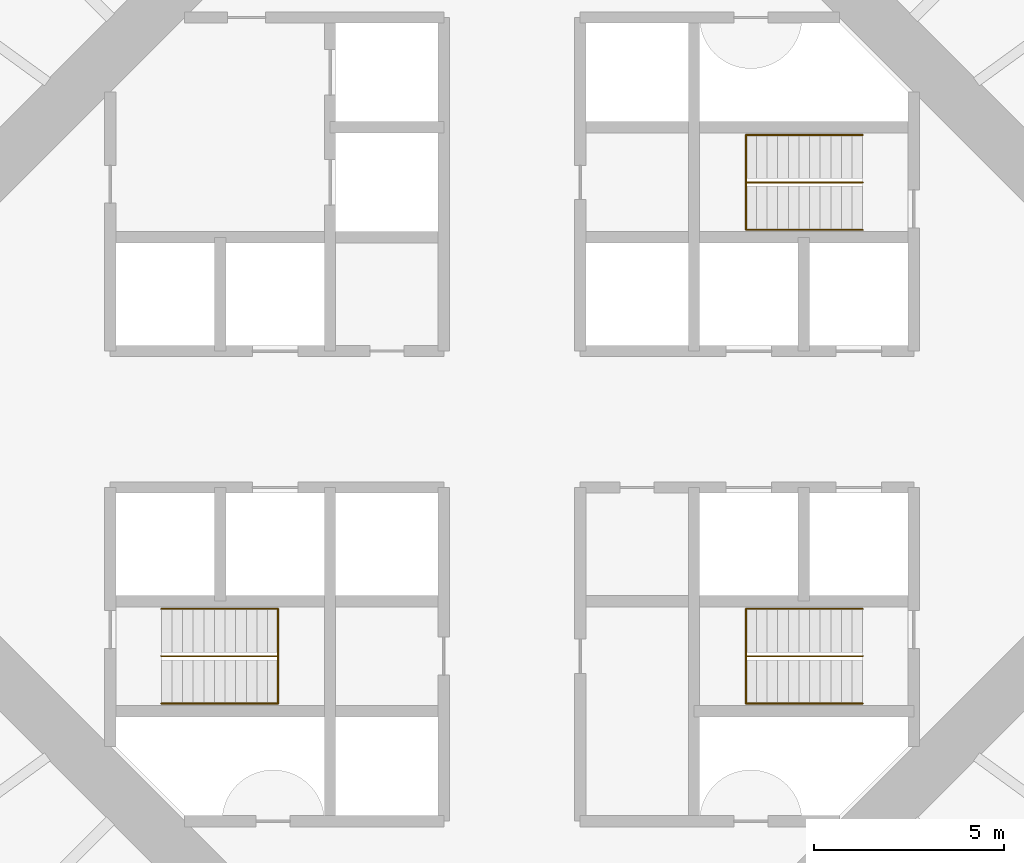
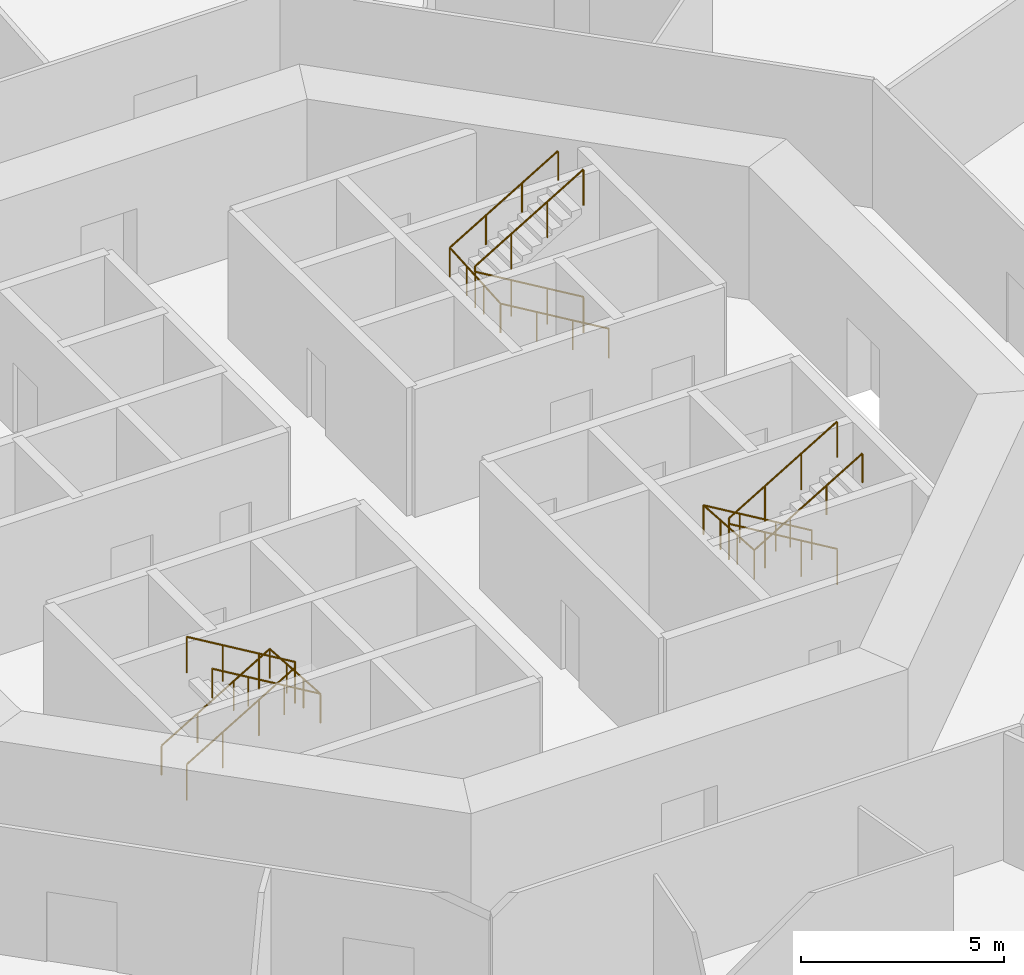
# One storey, part 13 of 13: 6 railings.
"""IFC4 building model written with IfcOpenShell, lengths in metres."""

from ifc_helpers import new_model, si_unit, direction, frame, origin, origin_2d, place, context, subcontext, project, spatial, circle, extrude, material, type_object, element, save


model = new_model("IFC4")

# Units and contexts
model_context = context("Model", 3, precision=1e-05, world=origin(), true_north=direction((0.0, 1.0)))
body_context = subcontext(model_context, "Body", "Model", "MODEL_VIEW")
ifc_project = project(units=[si_unit("LENGTHUNIT", "METRE"), si_unit("AREAUNIT", "SQUARE_METRE"), si_unit("VOLUMEUNIT", "CUBIC_METRE"), si_unit("PLANEANGLEUNIT", "RADIAN"), si_unit("MASSUNIT", "GRAM", prefix="KILO")], contexts=[model_context])

# Site, building, storey
site_placement = place(None, origin())
site = spatial("IfcSite", under=ifc_project, at=site_placement, CompositionType="ELEMENT")
building_placement = place(site_placement, origin())
building = spatial("IfcBuilding", under=site, at=building_placement, Name="Entoto Ring Tower", CompositionType="ELEMENT")
storey_placement = place(building_placement, frame((0.0, 0.0, 58.0)))
storey = spatial("IfcBuildingStorey", under=building, at=storey_placement, Name="L12", CompositionType="ELEMENT", Elevation=58.0)

# Railings
ifc_material_1 = material(Name="Steel S275", Category="steel")
railing_type_1 = type_object("IfcRailingType", Name="Stair guard 1100 mm steel", PredefinedType="GUARDRAIL", material=ifc_material_1)
railing_1_placement = place(storey_placement, frame((99.25, 86.25, 0.166748046875)))
element("IfcRailing", 1, at=railing_1_placement, inside=storey, type_object=railing_type_1, Name="Guard ST1", PredefinedType="GUARDRAIL", context=body_context, shape_type="SweptSolid", body=[
    extrude(circle(Radius=0.02392578125, at=origin_2d()), frame((0.0, 0.0, 1.076171875), z_axis=(-0.859308565015, 0.0, 0.511457515432), x_axis=(0.0, -1.0, 0.0)), (0.0, 0.0, 1.0), 3.58447265625),
    extrude(circle(Radius=0.02392578125, at=origin_2d()), frame((-3.080078125, 0.0, 2.9091796875), z_axis=(0.0, 0.0, 1.0), x_axis=(1.0, 0.0, 0.0)), (0.0, 0.0, 1.0), 0.166748046875),
    extrude(circle(Radius=0.02392578125, at=origin_2d()), frame((-3.080078125, 0.0, 3.076171875), z_axis=(0.859308565015, 0.0, 0.511457515432), x_axis=(0.0, 1.0, 0.0)), (0.0, 0.0, 1.0), 3.58447265625),
    extrude(circle(Radius=0.02099609375, at=origin_2d()), origin(), (0.0, 0.0, 1.0), 1.052001953125),
    extrude(circle(Radius=0.02099609375, at=origin_2d()), frame((-1.026611328125, 0.0, 0.611083984375)), (0.0, 0.0, 1.0), 1.052001953125),
    extrude(circle(Radius=0.02099609375, at=origin_2d()), frame((-2.053466796875, 0.0, 1.22216796875)), (0.0, 0.0, 1.0), 1.052001953125),
    extrude(circle(Radius=0.02099609375, at=origin_2d()), frame((-3.080078125, 0.0, 1.833251953125)), (0.0, 0.0, 1.0), 1.052001953125),
    extrude(circle(Radius=0.02099609375, at=origin_2d()), frame((-3.080078125, 0.0, 2.0)), (0.0, 0.0, 1.0), 1.052001953125),
    extrude(circle(Radius=0.02099609375, at=origin_2d()), frame((-2.053466796875, 0.0, 2.611083984375)), (0.0, 0.0, 1.0), 1.052001953125),
    extrude(circle(Radius=0.02099609375, at=origin_2d()), frame((-1.026611328125, 0.0, 3.22216796875)), (0.0, 0.0, 1.0), 1.052001953125),
    extrude(circle(Radius=0.02099609375, at=origin_2d()), frame((0.0, 0.0, 3.833251953125)), (0.0, 0.0, 1.0), 1.052001953125),
])
railing_2_placement = place(storey_placement, frame((80.75, 73.75, 0.166748046875)))
element("IfcRailing", 2, at=railing_2_placement, inside=storey, type_object=railing_type_1, Name="Guard ST2", PredefinedType="GUARDRAIL", context=body_context, shape_type="SweptSolid", body=[
    extrude(circle(Radius=0.02392578125, at=origin_2d()), frame((0.0, 0.0, 1.076171875), z_axis=(0.859308565015, 0.0, 0.511457515432), x_axis=(0.0, 1.0, 0.0)), (0.0, 0.0, 1.0), 3.58447265625),
    extrude(circle(Radius=0.02392578125, at=origin_2d()), frame((3.080078125, 0.0, 2.9091796875), z_axis=(0.0, 0.0, 1.0), x_axis=(1.0, 0.0, 0.0)), (0.0, 0.0, 1.0), 0.166748046875),
    extrude(circle(Radius=0.02392578125, at=origin_2d()), frame((3.080078125, 0.0, 3.076171875), z_axis=(-0.859308565015, 0.0, 0.511457515432), x_axis=(0.0, -1.0, 0.0)), (0.0, 0.0, 1.0), 3.58447265625),
    extrude(circle(Radius=0.02099609375, at=origin_2d()), origin(), (0.0, 0.0, 1.0), 1.052001953125),
    extrude(circle(Radius=0.02099609375, at=origin_2d()), frame((1.026611328125, 0.0, 0.611083984375)), (0.0, 0.0, 1.0), 1.052001953125),
    extrude(circle(Radius=0.02099609375, at=origin_2d()), frame((2.053466796875, 0.0, 1.22216796875)), (0.0, 0.0, 1.0), 1.052001953125),
    extrude(circle(Radius=0.02099609375, at=origin_2d()), frame((3.080078125, 0.0, 1.833251953125)), (0.0, 0.0, 1.0), 1.052001953125),
    extrude(circle(Radius=0.02099609375, at=origin_2d()), frame((3.080078125, 0.0, 2.0)), (0.0, 0.0, 1.0), 1.052001953125),
    extrude(circle(Radius=0.02099609375, at=origin_2d()), frame((2.053466796875, 0.0, 2.611083984375)), (0.0, 0.0, 1.0), 1.052001953125),
    extrude(circle(Radius=0.02099609375, at=origin_2d()), frame((1.026611328125, 0.0, 3.22216796875)), (0.0, 0.0, 1.0), 1.052001953125),
    extrude(circle(Radius=0.02099609375, at=origin_2d()), frame((0.0, 0.0, 3.833251953125)), (0.0, 0.0, 1.0), 1.052001953125),
])
railing_3_placement = place(storey_placement, frame((99.25, 73.75, 0.166748046875)))
element("IfcRailing", 3, at=railing_3_placement, inside=storey, type_object=railing_type_1, Name="Guard ST3", PredefinedType="GUARDRAIL", context=body_context, shape_type="SweptSolid", body=[
    extrude(circle(Radius=0.02392578125, at=origin_2d()), frame((0.0, 0.0, 1.076171875), z_axis=(-0.859308565015, 0.0, 0.511457515432), x_axis=(0.0, -1.0, 0.0)), (0.0, 0.0, 1.0), 3.58447265625),
    extrude(circle(Radius=0.02392578125, at=origin_2d()), frame((-3.080078125, 0.0, 2.9091796875), z_axis=(0.0, 0.0, 1.0), x_axis=(1.0, 0.0, 0.0)), (0.0, 0.0, 1.0), 0.166748046875),
    extrude(circle(Radius=0.02392578125, at=origin_2d()), frame((-3.080078125, 0.0, 3.076171875), z_axis=(0.859308565015, 0.0, 0.511457515432), x_axis=(0.0, 1.0, 0.0)), (0.0, 0.0, 1.0), 3.58447265625),
    extrude(circle(Radius=0.02099609375, at=origin_2d()), origin(), (0.0, 0.0, 1.0), 1.052001953125),
    extrude(circle(Radius=0.02099609375, at=origin_2d()), frame((-1.026611328125, 0.0, 0.611083984375)), (0.0, 0.0, 1.0), 1.052001953125),
    extrude(circle(Radius=0.02099609375, at=origin_2d()), frame((-2.053466796875, 0.0, 1.22216796875)), (0.0, 0.0, 1.0), 1.052001953125),
    extrude(circle(Radius=0.02099609375, at=origin_2d()), frame((-3.080078125, 0.0, 1.833251953125)), (0.0, 0.0, 1.0), 1.052001953125),
    extrude(circle(Radius=0.02099609375, at=origin_2d()), frame((-3.080078125, 0.0, 2.0)), (0.0, 0.0, 1.0), 1.052001953125),
    extrude(circle(Radius=0.02099609375, at=origin_2d()), frame((-2.053466796875, 0.0, 2.611083984375)), (0.0, 0.0, 1.0), 1.052001953125),
    extrude(circle(Radius=0.02099609375, at=origin_2d()), frame((-1.026611328125, 0.0, 3.22216796875)), (0.0, 0.0, 1.0), 1.052001953125),
    extrude(circle(Radius=0.02099609375, at=origin_2d()), frame((0.0, 0.0, 3.833251953125)), (0.0, 0.0, 1.0), 1.052001953125),
])
ifc_material_2 = material(Name="Steel S275", Category="steel")
railing_type_2 = type_object("IfcRailingType", Name="Stair handrail 900 mm steel", PredefinedType="HANDRAIL", material=ifc_material_2)
railing_4_placement = place(storey_placement, frame((99.25, 85.0, 0.166748046875)))
element("IfcRailing", 4, at=railing_4_placement, inside=storey, type_object=railing_type_2, Name="Handrail ST1", PredefinedType="HANDRAIL", context=body_context, shape_type="SweptSolid", body=[
    extrude(circle(Radius=0.02392578125, at=origin_2d()), frame((0.0, 0.0, 0.8759765625), z_axis=(-0.859308565015, 0.0, 0.511457515432), x_axis=(0.0, -1.0, 0.0)), (0.0, 0.0, 1.0), 3.58447265625),
    extrude(circle(Radius=0.02392578125, at=origin_2d()), frame((-3.080078125, 0.0, 2.708984375), z_axis=(0.0, 0.997783001586, 0.066551346688), x_axis=(-1.0, 0.0, 0.0)), (0.0, 0.0, 1.0), 2.505615234375),
    extrude(circle(Radius=0.02392578125, at=origin_2d()), frame((-3.080078125, 2.5, 2.8759765625), z_axis=(0.859308565015, 0.0, 0.511457515432), x_axis=(0.0, 1.0, 0.0)), (0.0, 0.0, 1.0), 3.58447265625),
    extrude(circle(Radius=0.02099609375, at=origin_2d()), origin(), (0.0, 0.0, 1.0), 0.851806640625),
    extrude(circle(Radius=0.02099609375, at=origin_2d()), frame((-1.026611328125, 0.0, 0.611083984375)), (0.0, 0.0, 1.0), 0.851806640625),
    extrude(circle(Radius=0.02099609375, at=origin_2d()), frame((-2.053466796875, 0.0, 1.22216796875)), (0.0, 0.0, 1.0), 0.851806640625),
    extrude(circle(Radius=0.02099609375, at=origin_2d()), frame((-3.080078125, 0.0, 1.833251953125)), (0.0, 0.0, 1.0), 0.851806640625),
    extrude(circle(Radius=0.02099609375, at=origin_2d()), frame((-3.080078125, 0.833251953125, 1.888916015625)), (0.0, 0.0, 1.0), 0.851806640625),
    extrude(circle(Radius=0.02099609375, at=origin_2d()), frame((-3.080078125, 1.666748046875, 1.9443359375)), (0.0, 0.0, 1.0), 0.851806640625),
    extrude(circle(Radius=0.02099609375, at=origin_2d()), frame((-3.080078125, 2.5, 2.0)), (0.0, 0.0, 1.0), 0.851806640625),
    extrude(circle(Radius=0.02099609375, at=origin_2d()), frame((-2.053466796875, 2.5, 2.611083984375)), (0.0, 0.0, 1.0), 0.851806640625),
    extrude(circle(Radius=0.02099609375, at=origin_2d()), frame((-1.026611328125, 2.5, 3.22216796875)), (0.0, 0.0, 1.0), 0.851806640625),
    extrude(circle(Radius=0.02099609375, at=origin_2d()), frame((0.0, 2.5, 3.833251953125)), (0.0, 0.0, 1.0), 0.851806640625),
])
railing_5_placement = place(storey_placement, frame((80.75, 75.0, 0.166748046875)))
element("IfcRailing", 5, at=railing_5_placement, inside=storey, type_object=railing_type_2, Name="Handrail ST2", PredefinedType="HANDRAIL", context=body_context, shape_type="SweptSolid", body=[
    extrude(circle(Radius=0.02392578125, at=origin_2d()), frame((0.0, 0.0, 0.8759765625), z_axis=(0.859308565015, 0.0, 0.511457515432), x_axis=(0.0, 1.0, 0.0)), (0.0, 0.0, 1.0), 3.58447265625),
    extrude(circle(Radius=0.02392578125, at=origin_2d()), frame((3.080078125, 0.0, 2.708984375), z_axis=(0.0, -0.997783001586, 0.066551346688), x_axis=(1.0, 0.0, 0.0)), (0.0, 0.0, 1.0), 2.505615234375),
    extrude(circle(Radius=0.02392578125, at=origin_2d()), frame((3.080078125, -2.5, 2.8759765625), z_axis=(-0.859308565015, 0.0, 0.511457515432), x_axis=(0.0, -1.0, 0.0)), (0.0, 0.0, 1.0), 3.58447265625),
    extrude(circle(Radius=0.02099609375, at=origin_2d()), origin(), (0.0, 0.0, 1.0), 0.851806640625),
    extrude(circle(Radius=0.02099609375, at=origin_2d()), frame((1.026611328125, 0.0, 0.611083984375)), (0.0, 0.0, 1.0), 0.851806640625),
    extrude(circle(Radius=0.02099609375, at=origin_2d()), frame((2.053466796875, 0.0, 1.22216796875)), (0.0, 0.0, 1.0), 0.851806640625),
    extrude(circle(Radius=0.02099609375, at=origin_2d()), frame((3.080078125, 0.0, 1.833251953125)), (0.0, 0.0, 1.0), 0.851806640625),
    extrude(circle(Radius=0.02099609375, at=origin_2d()), frame((3.080078125, -0.833251953125, 1.888916015625)), (0.0, 0.0, 1.0), 0.851806640625),
    extrude(circle(Radius=0.02099609375, at=origin_2d()), frame((3.080078125, -1.666748046875, 1.9443359375)), (0.0, 0.0, 1.0), 0.851806640625),
    extrude(circle(Radius=0.02099609375, at=origin_2d()), frame((3.080078125, -2.5, 2.0)), (0.0, 0.0, 1.0), 0.851806640625),
    extrude(circle(Radius=0.02099609375, at=origin_2d()), frame((2.053466796875, -2.5, 2.611083984375)), (0.0, 0.0, 1.0), 0.851806640625),
    extrude(circle(Radius=0.02099609375, at=origin_2d()), frame((1.026611328125, -2.5, 3.22216796875)), (0.0, 0.0, 1.0), 0.851806640625),
    extrude(circle(Radius=0.02099609375, at=origin_2d()), frame((0.0, -2.5, 3.833251953125)), (0.0, 0.0, 1.0), 0.851806640625),
])
railing_6_placement = place(storey_placement, frame((99.25, 75.0, 0.166748046875)))
element("IfcRailing", 6, at=railing_6_placement, inside=storey, type_object=railing_type_2, Name="Handrail ST3", PredefinedType="HANDRAIL", context=body_context, shape_type="SweptSolid", body=[
    extrude(circle(Radius=0.02392578125, at=origin_2d()), frame((0.0, 0.0, 0.8759765625), z_axis=(-0.859308565015, 0.0, 0.511457515432), x_axis=(0.0, -1.0, 0.0)), (0.0, 0.0, 1.0), 3.58447265625),
    extrude(circle(Radius=0.02392578125, at=origin_2d()), frame((-3.080078125, 0.0, 2.708984375), z_axis=(0.0, -0.997783001586, 0.066551346688), x_axis=(1.0, 0.0, 0.0)), (0.0, 0.0, 1.0), 2.505615234375),
    extrude(circle(Radius=0.02392578125, at=origin_2d()), frame((-3.080078125, -2.5, 2.8759765625), z_axis=(0.859308565015, 0.0, 0.511457515432), x_axis=(0.0, 1.0, 0.0)), (0.0, 0.0, 1.0), 3.58447265625),
    extrude(circle(Radius=0.02099609375, at=origin_2d()), origin(), (0.0, 0.0, 1.0), 0.851806640625),
    extrude(circle(Radius=0.02099609375, at=origin_2d()), frame((-1.026611328125, 0.0, 0.611083984375)), (0.0, 0.0, 1.0), 0.851806640625),
    extrude(circle(Radius=0.02099609375, at=origin_2d()), frame((-2.053466796875, 0.0, 1.22216796875)), (0.0, 0.0, 1.0), 0.851806640625),
    extrude(circle(Radius=0.02099609375, at=origin_2d()), frame((-3.080078125, 0.0, 1.833251953125)), (0.0, 0.0, 1.0), 0.851806640625),
    extrude(circle(Radius=0.02099609375, at=origin_2d()), frame((-3.080078125, -0.833251953125, 1.888916015625)), (0.0, 0.0, 1.0), 0.851806640625),
    extrude(circle(Radius=0.02099609375, at=origin_2d()), frame((-3.080078125, -1.666748046875, 1.9443359375)), (0.0, 0.0, 1.0), 0.851806640625),
    extrude(circle(Radius=0.02099609375, at=origin_2d()), frame((-3.080078125, -2.5, 2.0)), (0.0, 0.0, 1.0), 0.851806640625),
    extrude(circle(Radius=0.02099609375, at=origin_2d()), frame((-2.053466796875, -2.5, 2.611083984375)), (0.0, 0.0, 1.0), 0.851806640625),
    extrude(circle(Radius=0.02099609375, at=origin_2d()), frame((-1.026611328125, -2.5, 3.22216796875)), (0.0, 0.0, 1.0), 0.851806640625),
    extrude(circle(Radius=0.02099609375, at=origin_2d()), frame((0.0, -2.5, 3.833251953125)), (0.0, 0.0, 1.0), 0.851806640625),
])

save(model, "model.ifc")
